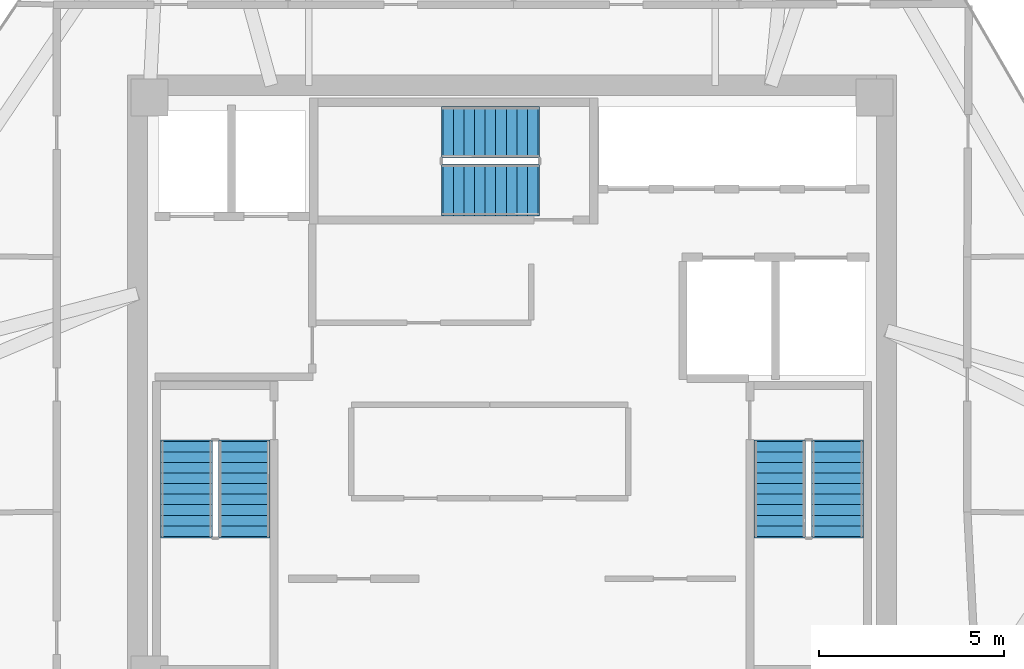
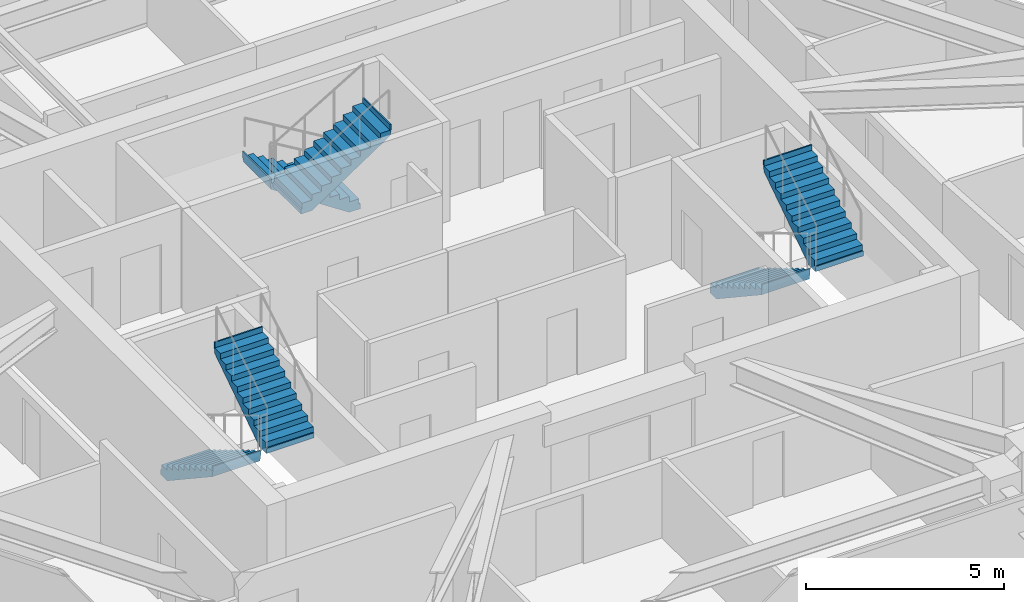
# One storey, part 10 of 11: 6 stair flights, 3 elements without a shape of their own.
"""IFC4 building model written with IfcOpenShell, lengths in metres."""

from ifc_helpers import new_model, si_unit, direction, frame, origin, place, context, subcontext, project, spatial, polyline, outline, extrude, material, type_object, element, aggregate, save


model = new_model("IFC4")

# Units and contexts
model_context = context("Model", 3, precision=1e-05, world=origin(), true_north=direction((0.0, 1.0)))
body_context = subcontext(model_context, "Body", "Model", "MODEL_VIEW")
ifc_project = project(units=[si_unit("LENGTHUNIT", "METRE"), si_unit("AREAUNIT", "SQUARE_METRE"), si_unit("VOLUMEUNIT", "CUBIC_METRE"), si_unit("PLANEANGLEUNIT", "RADIAN"), si_unit("MASSUNIT", "GRAM", prefix="KILO")], contexts=[model_context])

# Site, building, storey
site_placement = place(None, origin())
site = spatial("IfcSite", under=ifc_project, at=site_placement, CompositionType="ELEMENT")
building_placement = place(site_placement, origin())
building = spatial("IfcBuilding", under=site, at=building_placement, Name="Durnholm Broadcast Tower", CompositionType="ELEMENT")
storey_placement = place(building_placement, frame((0.0, 0.0, 264.89990234375)))
storey = spatial("IfcBuildingStorey", under=building, at=storey_placement, Name="L74", CompositionType="ELEMENT", Elevation=264.89990234375)

# Stair, stair flights
ifc_material = material(Name="Concrete C50/60", Category="concrete")
stair_type = type_object("IfcStairType", Name="STAIR-DL-20R1700", PredefinedType="HALF_TURN_STAIR", material=ifc_material)
stair_1_placement = place(storey_placement, origin())
stair_1 = element("IfcStair", 1, at=stair_1_placement, inside=storey, type_object=stair_type, Name="L74 ST-1", PredefinedType="HALF_TURN_STAIR")
stair_flight_type = type_object("IfcStairFlightType", Name="FLIGHT-DL-20R1700", PredefinedType="STRAIGHT", material=ifc_material)
stair_flight_1_placement = place(storey_placement, frame((-8.800048828125, -1.5, 0.0), z_axis=(0.0, 0.0, 1.0), x_axis=(0.0, -1.0, 0.0)))
stair_flight_1 = element("IfcStairFlight", 2, at=stair_flight_1_placement, type_object=stair_flight_type, Name="ST-1 flight 1", NumberOfRisers=10, NumberOfTreads=9, PredefinedType="STRAIGHT", RiserHeight=0.17, TreadLength=0.285, context=body_context, shape_type="SweptSolid", body=[
    extrude(outline(polyline([(-0.0400390625, -0.14990234375), (-0.0400390625, 0.0), (0.0, 0.0), (0.0, 0.169921875), (0.284912109375, 0.169921875), (0.284912109375, 0.340087890625), (0.570068359375, 0.340087890625), (0.570068359375, 0.510009765625), (0.85498046875, 0.510009765625), (0.85498046875, 0.679931640625), (1.139892578125, 0.679931640625), (1.139892578125, 0.85009765625), (1.425048828125, 0.85009765625), (1.425048828125, 1.02001953125), (1.7099609375, 1.02001953125), (1.7099609375, 1.18994140625), (1.9951171875, 1.18994140625), (1.9951171875, 1.360107421875), (2.280029296875, 1.360107421875), (2.280029296875, 1.530029296875), (2.56494140625, 1.530029296875), (2.56494140625, 1.699951171875), (2.60498046875, 1.699951171875), (2.60498046875, 1.550048828125), (2.56494140625, 1.35546875), (0.292724609375, -0.14990234375), (-0.0400390625, -0.14990234375)])), frame((0.0, 0.699951171875, 0.0), z_axis=(0.0, -1.0, 0.0), x_axis=(1.0, 0.0, 0.0)), (0.0, 0.0, 1.0), 1.39990234375),
])
stair_flight_2_placement = place(storey_placement, frame((-7.239990234375, -4.06494140625, 1.7001953125), z_axis=(0.0, 0.0, 1.0), x_axis=(0.0, 1.0, 0.0)))
stair_flight_2 = element("IfcStairFlight", 3, at=stair_flight_2_placement, type_object=stair_flight_type, Name="ST-1 flight 2", NumberOfRisers=10, NumberOfTreads=9, PredefinedType="STRAIGHT", RiserHeight=0.17, TreadLength=0.285, context=body_context, shape_type="SweptSolid", body=[
    extrude(outline(polyline([(-0.0400390625, -0.14990234375), (-0.0400390625, 0.0), (0.0, 0.0), (0.0, 0.169921875), (0.284912109375, 0.169921875), (0.284912109375, 0.340087890625), (0.570068359375, 0.340087890625), (0.570068359375, 0.510009765625), (0.85498046875, 0.510009765625), (0.85498046875, 0.679931640625), (1.139892578125, 0.679931640625), (1.139892578125, 0.85009765625), (1.425048828125, 0.85009765625), (1.425048828125, 1.02001953125), (1.7099609375, 1.02001953125), (1.7099609375, 1.18994140625), (1.9951171875, 1.18994140625), (1.9951171875, 1.360107421875), (2.280029296875, 1.360107421875), (2.280029296875, 1.530029296875), (2.56494140625, 1.530029296875), (2.56494140625, 1.699951171875), (2.60498046875, 1.699951171875), (2.60498046875, 1.550048828125), (2.56494140625, 1.35546875), (0.292724609375, -0.14990234375), (-0.0400390625, -0.14990234375)])), frame((0.0, 0.699951171875, 0.0), z_axis=(0.0, -1.0, 0.0), x_axis=(1.0, 0.0, 0.0)), (0.0, 0.0, 1.0), 1.39990234375),
])
aggregate(stair_1, [stair_flight_1, stair_flight_2])

stair_2_placement = place(storey_placement, origin())
stair_2 = element("IfcStair", 4, at=stair_2_placement, inside=storey, type_object=stair_type, Name="L74 ST-2", PredefinedType="HALF_TURN_STAIR")
stair_flight_3_placement = place(storey_placement, frame((7.239990234375, -1.5, 0.0), z_axis=(0.0, 0.0, 1.0), x_axis=(0.0, -1.0, 0.0)))
stair_flight_3 = element("IfcStairFlight", 5, at=stair_flight_3_placement, type_object=stair_flight_type, Name="ST-2 flight 1", NumberOfRisers=10, NumberOfTreads=9, PredefinedType="STRAIGHT", RiserHeight=0.17, TreadLength=0.285, context=body_context, shape_type="SweptSolid", body=[
    extrude(outline(polyline([(-0.0400390625, -0.14990234375), (-0.0400390625, 0.0), (0.0, 0.0), (0.0, 0.169921875), (0.284912109375, 0.169921875), (0.284912109375, 0.340087890625), (0.570068359375, 0.340087890625), (0.570068359375, 0.510009765625), (0.85498046875, 0.510009765625), (0.85498046875, 0.679931640625), (1.139892578125, 0.679931640625), (1.139892578125, 0.85009765625), (1.425048828125, 0.85009765625), (1.425048828125, 1.02001953125), (1.7099609375, 1.02001953125), (1.7099609375, 1.18994140625), (1.9951171875, 1.18994140625), (1.9951171875, 1.360107421875), (2.280029296875, 1.360107421875), (2.280029296875, 1.530029296875), (2.56494140625, 1.530029296875), (2.56494140625, 1.699951171875), (2.60498046875, 1.699951171875), (2.60498046875, 1.550048828125), (2.56494140625, 1.35546875), (0.292724609375, -0.14990234375), (-0.0400390625, -0.14990234375)])), frame((0.0, 0.699951171875, 0.0), z_axis=(0.0, -1.0, 0.0), x_axis=(1.0, 0.0, 0.0)), (0.0, 0.0, 1.0), 1.39990234375),
])
stair_flight_4_placement = place(storey_placement, frame((8.800048828125, -4.06494140625, 1.7001953125), z_axis=(0.0, 0.0, 1.0), x_axis=(0.0, 1.0, 0.0)))
stair_flight_4 = element("IfcStairFlight", 6, at=stair_flight_4_placement, type_object=stair_flight_type, Name="ST-2 flight 2", NumberOfRisers=10, NumberOfTreads=9, PredefinedType="STRAIGHT", RiserHeight=0.17, TreadLength=0.285, context=body_context, shape_type="SweptSolid", body=[
    extrude(outline(polyline([(-0.0400390625, -0.14990234375), (-0.0400390625, 0.0), (0.0, 0.0), (0.0, 0.169921875), (0.284912109375, 0.169921875), (0.284912109375, 0.340087890625), (0.570068359375, 0.340087890625), (0.570068359375, 0.510009765625), (0.85498046875, 0.510009765625), (0.85498046875, 0.679931640625), (1.139892578125, 0.679931640625), (1.139892578125, 0.85009765625), (1.425048828125, 0.85009765625), (1.425048828125, 1.02001953125), (1.7099609375, 1.02001953125), (1.7099609375, 1.18994140625), (1.9951171875, 1.18994140625), (1.9951171875, 1.360107421875), (2.280029296875, 1.360107421875), (2.280029296875, 1.530029296875), (2.56494140625, 1.530029296875), (2.56494140625, 1.699951171875), (2.60498046875, 1.699951171875), (2.60498046875, 1.550048828125), (2.56494140625, 1.35546875), (0.292724609375, -0.14990234375), (-0.0400390625, -0.14990234375)])), frame((0.0, 0.699951171875, 0.0), z_axis=(0.0, -1.0, 0.0), x_axis=(1.0, 0.0, 0.0)), (0.0, 0.0, 1.0), 1.39990234375),
])
aggregate(stair_2, [stair_flight_3, stair_flight_4])

stair_3_placement = place(storey_placement, origin())
stair_3 = element("IfcStair", 7, at=stair_3_placement, inside=storey, type_object=stair_type, Name="L74 ST-3", PredefinedType="HALF_TURN_STAIR")
stair_flight_5_placement = place(storey_placement, frame((0.699951171875, 6.860107421875, 0.0), z_axis=(0.0, 0.0, 1.0), x_axis=(-1.0, 0.0, 0.0)))
stair_flight_5 = element("IfcStairFlight", 8, at=stair_flight_5_placement, type_object=stair_flight_type, Name="ST-3 flight 1", NumberOfRisers=10, NumberOfTreads=9, PredefinedType="STRAIGHT", RiserHeight=0.17, TreadLength=0.285, context=body_context, shape_type="SweptSolid", body=[
    extrude(outline(polyline([(-0.0400390625, -0.14990234375), (-0.0400390625, 0.0), (0.0, 0.0), (0.0, 0.169921875), (0.284912109375, 0.169921875), (0.284912109375, 0.340087890625), (0.570068359375, 0.340087890625), (0.570068359375, 0.510009765625), (0.85498046875, 0.510009765625), (0.85498046875, 0.679931640625), (1.139892578125, 0.679931640625), (1.139892578125, 0.85009765625), (1.425048828125, 0.85009765625), (1.425048828125, 1.02001953125), (1.7099609375, 1.02001953125), (1.7099609375, 1.18994140625), (1.9951171875, 1.18994140625), (1.9951171875, 1.360107421875), (2.280029296875, 1.360107421875), (2.280029296875, 1.530029296875), (2.56494140625, 1.530029296875), (2.56494140625, 1.699951171875), (2.60498046875, 1.699951171875), (2.60498046875, 1.550048828125), (2.56494140625, 1.35546875), (0.292724609375, -0.14990234375), (-0.0400390625, -0.14990234375)])), frame((0.0, 0.699951171875, 0.0), z_axis=(0.0, -1.0, 0.0), x_axis=(1.0, 0.0, 0.0)), (0.0, 0.0, 1.0), 1.39990234375),
])
stair_flight_6_placement = place(storey_placement, frame((-1.864990234375, 5.300048828125, 1.7001953125), z_axis=(0.0, 0.0, 1.0), x_axis=(1.0, 0.0, 0.0)))
stair_flight_6 = element("IfcStairFlight", 9, at=stair_flight_6_placement, type_object=stair_flight_type, Name="ST-3 flight 2", NumberOfRisers=10, NumberOfTreads=9, PredefinedType="STRAIGHT", RiserHeight=0.17, TreadLength=0.285, context=body_context, shape_type="SweptSolid", body=[
    extrude(outline(polyline([(-0.0400390625, -0.14990234375), (-0.0400390625, 0.0), (0.0, 0.0), (0.0, 0.169921875), (0.284912109375, 0.169921875), (0.284912109375, 0.340087890625), (0.570068359375, 0.340087890625), (0.570068359375, 0.510009765625), (0.85498046875, 0.510009765625), (0.85498046875, 0.679931640625), (1.139892578125, 0.679931640625), (1.139892578125, 0.85009765625), (1.425048828125, 0.85009765625), (1.425048828125, 1.02001953125), (1.7099609375, 1.02001953125), (1.7099609375, 1.18994140625), (1.9951171875, 1.18994140625), (1.9951171875, 1.360107421875), (2.280029296875, 1.360107421875), (2.280029296875, 1.530029296875), (2.56494140625, 1.530029296875), (2.56494140625, 1.699951171875), (2.60498046875, 1.699951171875), (2.60498046875, 1.550048828125), (2.56494140625, 1.35546875), (0.292724609375, -0.14990234375), (-0.0400390625, -0.14990234375)])), frame((0.0, 0.699951171875, 0.0), z_axis=(0.0, -1.0, 0.0), x_axis=(1.0, 0.0, 0.0)), (0.0, 0.0, 1.0), 1.39990234375),
])
aggregate(stair_3, [stair_flight_5, stair_flight_6])

save(model, "model.ifc")
